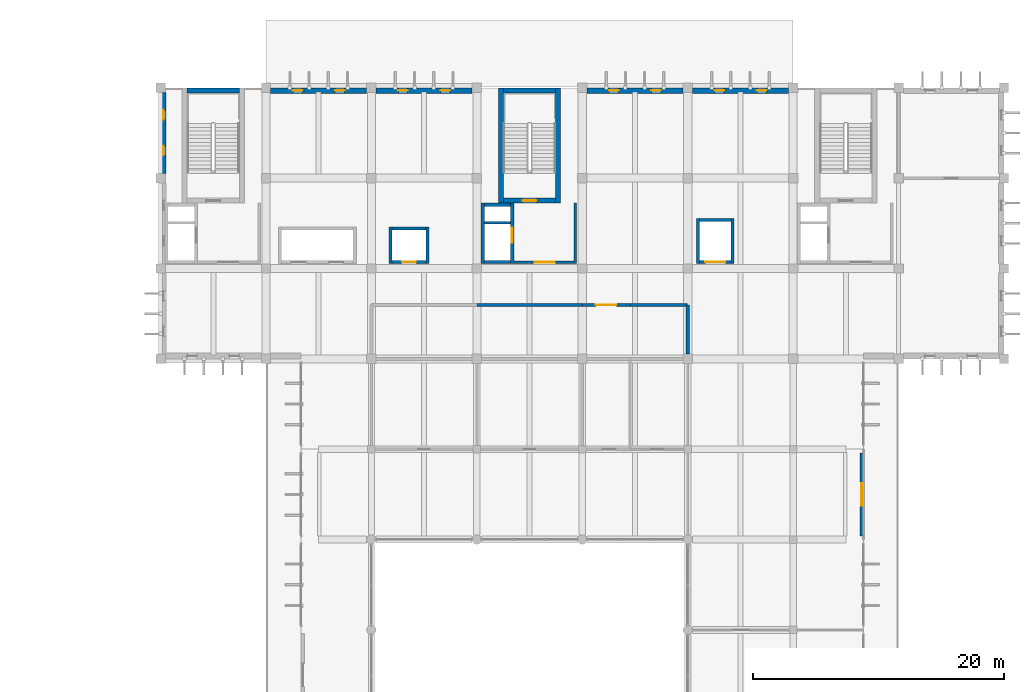
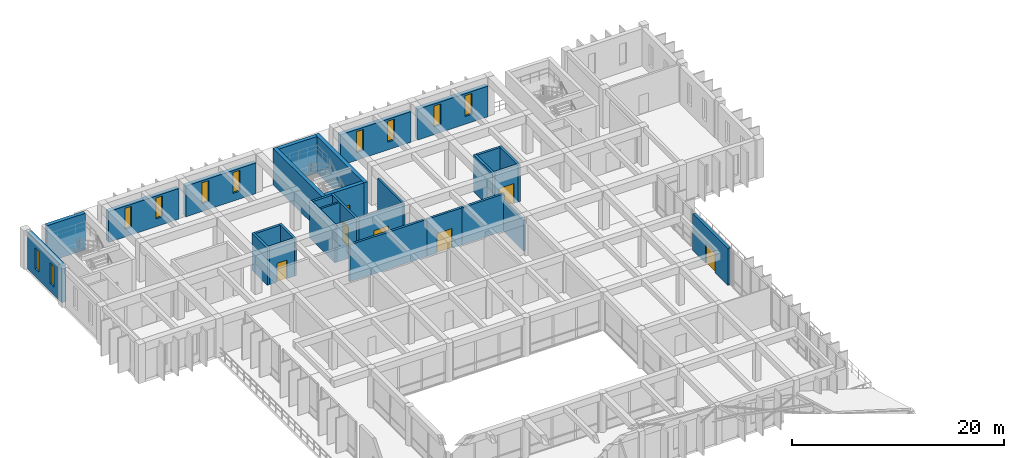
# One storey, part 17 of 23: 30 walls, 10 windows, 7 doors, 17 openings.
"""IFC4 building model written with IfcOpenShell, lengths in metres."""

import ifcopenshell
import ifcopenshell.guid

model = None  # the IFC model being written
_history = None  # IfcOwnerHistory: only IFC2X3 demands one
_inside = {}  # id of a spatial element -> (the spatial element, [elements in it])
_under = {}  # id of a project, library or spatial element -> (it, [spatial elements below it])
_declared = {}  # id of a project -> (the project, [libraries it declares])
_typed = {}  # id of a type object -> (the type object, [elements of that type])
_made_of = {}  # id of a material, layer set ... -> (it, [elements and type objects made of it])


def new_model(schema):
    """Start an empty IFC model of exactly this schema.

    Asked for "IFC4X3", IfcOpenShell would pick the latest addendum, in which some entities
    have other attributes; the version numbers below select the first issue.
    IFC2X3 requires an IfcOwnerHistory on every rooted entity: one is made here for all.
    """
    global model, _history
    if schema == "IFC4X3":
        model = ifcopenshell.file(schema_version=(4, 3, 0, 0))
    else:
        model = ifcopenshell.file(schema=schema)
    _inside.clear()
    _under.clear()
    _declared.clear()
    _typed.clear()
    _made_of.clear()
    _history = None
    if model.schema == "IFC2X3":
        org = make("IfcOrganization", Name="unknown")
        user = make(
            "IfcPersonAndOrganization",
            ThePerson=make("IfcPerson", FamilyName="unknown"),
            TheOrganization=org,
        )
        app = make(
            "IfcApplication",
            ApplicationDeveloper=org,
            Version="unknown",
            ApplicationFullName="unknown",
            ApplicationIdentifier="unknown",
        )
        _history = make(
            "IfcOwnerHistory",
            OwningUser=user,
            OwningApplication=app,
            ChangeAction="ADDED",
            CreationDate=0,
        )
    return model


def make(cls, **values):
    """One entity of the class cls with the attributes given. An attribute that is None is left unset."""
    return model.create_entity(
        cls, **{name: value for name, value in values.items() if value is not None}
    )


def rooted(cls, **values):
    """An entity with a GlobalId (a new one), such as an element, a storey or a relation."""
    return make(cls, GlobalId=ifcopenshell.guid.new(), OwnerHistory=_history, **values)


def si_unit(unit_type, name, prefix=None):
    """IfcSIUnit, for example si_unit("LENGTHUNIT", "METRE", prefix="MILLI")."""
    return make("IfcSIUnit", UnitType=unit_type, Prefix=prefix, Name=name)


def assignment(units):
    """IfcUnitAssignment: the units of a project."""
    return None if units is None else make("IfcUnitAssignment", Units=units)


def point(xyz):
    """IfcCartesianPoint."""
    return None if xyz is None else make("IfcCartesianPoint", Coordinates=xyz)


def direction(xyz):
    """IfcDirection."""
    return None if xyz is None else make("IfcDirection", DirectionRatios=xyz)


def frame(location, z_axis=None, x_axis=None):
    """IfcAxis2Placement3D, a coordinate frame: its origin and axes. An axis left out is left unset."""
    return make(
        "IfcAxis2Placement3D",
        Location=point(location),
        Axis=direction(z_axis),
        RefDirection=direction(x_axis),
    )


def frame_2d(location, x_axis=None):
    """IfcAxis2Placement2D, a coordinate frame in the plane: its origin and x axis."""
    return make(
        "IfcAxis2Placement2D", Location=point(location), RefDirection=direction(x_axis)
    )


def origin():
    """The frame at (0, 0, 0) with its axes left unset."""
    return frame((0.0, 0.0, 0.0))


def place(relative_to, where):
    """IfcLocalPlacement: puts the frame where relative to a parent placement (None: the world)."""
    return make(
        "IfcLocalPlacement", PlacementRelTo=relative_to, RelativePlacement=where
    )


def context(
    kind, dimensions, precision=None, world=None, true_north=None, identifier=None
):
    """IfcGeometricRepresentationContext, for example the 3D "Model" context."""
    return make(
        "IfcGeometricRepresentationContext",
        ContextIdentifier=identifier,
        ContextType=kind,
        CoordinateSpaceDimension=dimensions,
        Precision=precision,
        WorldCoordinateSystem=world,
        TrueNorth=true_north,
    )


def subcontext(parent, identifier, kind, view, scale=None):
    """IfcGeometricRepresentationSubContext, for example "Body" below "Model"."""
    return make(
        "IfcGeometricRepresentationSubContext",
        ContextIdentifier=identifier,
        ContextType=kind,
        ParentContext=parent,
        TargetScale=scale,
        TargetView=view,
    )


def project(units=None, contexts=None):
    """IfcProject with its units and contexts."""
    return rooted(
        "IfcProject",
        Name="project",
        RepresentationContexts=contexts,
        UnitsInContext=assignment(units),
    )


def spatial(cls, under=None, at=None, **own):
    """A site, building, storey or space (cls), placed at a placement, below another one or the project."""
    s = rooted(cls, ObjectPlacement=at, **own)
    if under is not None:
        _under.setdefault(under.id(), (under, []))[1].append(s)
    return s


def profile(cls, at=None, kind="AREA", **sizes):
    """A parametric profile (cls). Its sizes go by their IFC names, for example OverallWidth=200.0."""
    return make(cls, ProfileType=kind, Position=at, **sizes)


def rectangle(**sizes):
    """IfcRectangleProfileDef."""
    return profile("IfcRectangleProfileDef", **sizes)


def extrude(swept, where, along, depth):
    """IfcExtrudedAreaSolid: the profile swept, set in the frame where, extruded along a direction by depth."""
    return make(
        "IfcExtrudedAreaSolid",
        SweptArea=swept,
        Position=where,
        ExtrudedDirection=direction(along),
        Depth=depth,
    )


def shape(context_of_items, identifier, shape_type, items):
    """IfcShapeRepresentation: the items that make up one representation, for example the "Body"."""
    return make(
        "IfcShapeRepresentation",
        ContextOfItems=context_of_items,
        RepresentationIdentifier=identifier,
        RepresentationType=shape_type,
        Items=items,
    )


def material(Name=None, Category=None):
    """IfcMaterial."""
    return make("IfcMaterial", Name=Name, Category=Category)


def layer(
    of_material, thickness, ventilated=None, Name=None, Category=None, Priority=None
):
    """IfcMaterialLayer: one layer of a wall or slab, of a material (None: an air gap)."""
    return make(
        "IfcMaterialLayer",
        Material=of_material,
        LayerThickness=thickness,
        IsVentilated=ventilated,
        Name=Name,
        Category=Category,
        Priority=Priority,
    )


def layer_set(layers, Name=None):
    """IfcMaterialLayerSet."""
    return make("IfcMaterialLayerSet", MaterialLayers=layers, LayerSetName=Name)


def made_of(thing, what):
    """Note that an element or type object is made of a material, layer set ...; save() writes the relation."""
    if what is not None:
        _made_of.setdefault(what.id(), (what, []))[1].append(thing)
    return thing


def type_object(cls, material=None, **own):
    """A type object (cls), such as IfcWallType, which elements share."""
    return made_of(rooted(cls, **own), material)


def element(
    cls,
    number,
    at=None,
    inside=None,
    cuts=None,
    type_object=None,
    material=None,
    context=None,
    identifier="Body",
    shape_type=None,
    held_by="IfcProductDefinitionShape",
    body=None,
    shapes=None,
    **own,
):
    """One element of the class cls, such as IfcWall. Its Tag is "e" and its number.

    at: its placement. inside: the storey or other place that contains it. cuts: it is an
    opening in that element (IfcRelVoidsElement). A single representation is given by context,
    identifier, shape_type and body (its items); several are given by shapes. held_by: the class
    of the entity that holds the representations. save() writes the other relations.
    """
    e = rooted(cls, Tag="e%d" % number, ObjectPlacement=at, **own)
    if body is not None:
        shapes = [shape(context, identifier, shape_type, body)]
    if shapes is not None:
        e.Representation = make(held_by, Representations=shapes)
    if inside is not None:
        _inside.setdefault(inside.id(), (inside, []))[1].append(e)
    if cuts is not None:
        rooted(
            "IfcRelVoidsElement", RelatingBuildingElement=cuts, RelatedOpeningElement=e
        )
    if type_object is not None:
        _typed.setdefault(type_object.id(), (type_object, []))[1].append(e)
    return made_of(e, material)


def fill(opening, filler):
    """IfcRelFillsElement: the door or window that sits in an opening."""
    return rooted(
        "IfcRelFillsElement",
        RelatingOpeningElement=opening,
        RelatedBuildingElement=filler,
    )


def aggregate(whole, parts):
    """IfcRelAggregates: a whole, such as a stair, and the parts it consists of."""
    return rooted("IfcRelAggregates", RelatingObject=whole, RelatedObjects=parts)


def save(model, path):
    """Write the relations noted so far, then the file.

    IfcRelAggregates (storeys below a building ...), IfcRelContainedInSpatialStructure (elements
    in a storey), IfcRelDefinesByType, IfcRelAssociatesMaterial and IfcRelDeclares: one each for
    every whole, place, type object, material and project.
    """
    for whole, parts in _under.values():
        aggregate(whole, parts)
    for where, things in _inside.values():
        rooted(
            "IfcRelContainedInSpatialStructure",
            RelatedElements=things,
            RelatingStructure=where,
        )
    for kind, things in _typed.values():
        rooted("IfcRelDefinesByType", RelatedObjects=things, RelatingType=kind)
    for what, things in _made_of.values():
        rooted("IfcRelAssociatesMaterial", RelatedObjects=things, RelatingMaterial=what)
    for by, libraries in _declared.values():
        rooted("IfcRelDeclares", RelatingContext=by, RelatedDefinitions=libraries)
    model.write(path)


model = new_model("IFC4")

# Units and contexts
model_context = context("Model", 3, precision=1e-05, world=origin(), true_north=direction((0.0, 1.0)))
body_context = subcontext(model_context, "Body", "Model", "MODEL_VIEW")
ifc_project = project(units=[si_unit("LENGTHUNIT", "METRE"), si_unit("AREAUNIT", "SQUARE_METRE"), si_unit("VOLUMEUNIT", "CUBIC_METRE"), si_unit("PLANEANGLEUNIT", "RADIAN"), si_unit("MASSUNIT", "GRAM", prefix="KILO")], contexts=[model_context])

# Site, building, storey
site_placement = place(None, origin())
site = spatial("IfcSite", under=ifc_project, at=site_placement, CompositionType="ELEMENT")
building_placement = place(site_placement, origin())
building = spatial("IfcBuilding", under=site, at=building_placement, Name="Kenerak Square Central Library", CompositionType="ELEMENT")
storey_placement = place(building_placement, frame((0.0, 0.0, 18.8798828125)))
storey = spatial("IfcBuildingStorey", under=building, at=storey_placement, Name="L04", CompositionType="ELEMENT", Elevation=18.8798828125)

# Wall
ifc_material_1 = material(Name="Concrete C40/50", Category="concrete")
ifc_layer_1 = layer(ifc_material_1, 0.25)
ifc_layer_set_1 = layer_set([ifc_layer_1], Name="Concrete C40/50")
wall_type_1 = type_object("IfcWallType", Name="Archive Compartment Wall IW-250 C40/50", PredefinedType="SOLIDWALL", material=ifc_layer_set_1)
wall_1_placement = place(storey_placement, frame((83.60009765625, 93.10009765625, 0.0), z_axis=(0.0, 0.0, 1.0), x_axis=(1.0, 0.0, 0.0)))
element("IfcWall", 1, at=wall_1_placement, inside=storey, type_object=wall_type_1, Name="Interior Wall IW-L04-05-N2-B2", PredefinedType="SOLIDWALL", context=body_context, shape_type="SweptSolid", body=[
    extrude(rectangle(XDim=8.39990234375, YDim=0.25, at=frame_2d((4.199951171875, 0.0))), origin(), (0.0, 0.0, 1.0), 4.255126953125),
])

# Wall, opening, door
wall_2_placement = place(storey_placement, frame((92.0, 93.10009765625, 0.0), z_axis=(0.0, 0.0, 1.0), x_axis=(1.0, 0.0, 0.0)))
wall_2 = element("IfcWall", 2, at=wall_2_placement, inside=storey, type_object=wall_type_1, Name="Interior Wall IW-L04-05-N2-B3", PredefinedType="SOLIDWALL", context=body_context, shape_type="SweptSolid", body=[
    extrude(rectangle(XDim=3.800048828125, YDim=0.25, at=frame_2d((1.89990234375, 0.0))), origin(), (0.0, 0.0, 1.0), 4.255126953125),
])
opening_1_placement = place(wall_2_placement, frame((1.074951171875, 0.0, 0.0)))
opening_1 = element("IfcOpeningElement", 3, at=opening_1_placement, cuts=wall_2, Name="Opening ID-08", PredefinedType="OPENING", context=body_context, shape_type="SweptSolid", body=[
    extrude(rectangle(XDim=1.64990234375, YDim=2.25, at=frame_2d((0.824951171875, 1.125))), frame((0.0, 0.135009765625, 0.0), z_axis=(0.0, -1.0, 0.0), x_axis=(1.0, 0.0, 0.0)), (0.0, 0.0, 1.0), 0.27001953125),
])
ifc_material_2 = material(Name="Steel S355", Category="steel")
door_type_1 = type_object("IfcDoorType", Name="Vault Fire Compartment Double Door ID-1650x2250 FD120S", OperationType="NOTDEFINED", PredefinedType="DOOR", material=ifc_material_2)
door_1_placement = place(opening_1_placement, origin())
door_1 = element("IfcDoor", 4, at=door_1_placement, inside=storey, type_object=door_type_1, Name="Closed High-Density Stack Vault L04 Door", OperationType="DOUBLE_DOOR_SINGLE_SWING", OverallHeight=2.25, OverallWidth=1.64990234375, PredefinedType="DOOR", context=body_context, shape_type="SweptSolid", body=[
    extrude(rectangle(XDim=1.64990234375, YDim=2.25, at=frame_2d((0.824951171875, 1.125))), frame((0.0, 0.02490234375, 0.0), z_axis=(0.0, -1.0, 0.0), x_axis=(1.0, 0.0, 0.0)), (0.0, 0.0, 1.0), 0.050048828125),
])
fill(opening_1, door_1)

# Walls
wall_3_placement = place(storey_placement, frame((95.800048828125, 93.10009765625, 0.0), z_axis=(0.0, 0.0, 1.0), x_axis=(1.0, 0.0, 0.0)))
element("IfcWall", 5, at=wall_3_placement, inside=storey, type_object=wall_type_1, Name="Interior Wall IW-L04-05-N2-B4", PredefinedType="SOLIDWALL", context=body_context, shape_type="SweptSolid", body=[
    extrude(rectangle(XDim=4.599853515625, YDim=0.25, at=frame_2d((2.2998046875, 0.0))), origin(), (0.0, 0.0, 1.0), 4.255126953125),
])
wall_4_placement = place(storey_placement, frame((100.39990234375, 93.10009765625, 0.0), z_axis=(0.0, 0.0, 1.0), x_axis=(0.0, -1.0, 0.0)))
element("IfcWall", 6, at=wall_4_placement, inside=storey, type_object=wall_type_1, Name="Interior Wall IW-L04-05-E4-B1", PredefinedType="SOLIDWALL", context=body_context, shape_type="SweptSolid", body=[
    extrude(rectangle(XDim=3.925048828125, YDim=0.25, at=frame_2d((1.96240234375, 0.0))), origin(), (0.0, 0.0, 1.0), 3.530029296875),
])
ifc_layer_2 = layer(ifc_material_1, 0.39990234375)
ifc_layer_set_2 = layer_set([ifc_layer_2], Name="Concrete C40/50")
wall_type_2 = type_object("IfcWallType", Name="Core Shear Wall CW-400 C40/50", PredefinedType="SHEAR", material=ifc_layer_set_2)
wall_5_placement = place(storey_placement, frame((60.52001953125, 110.199951171875, 0.0), z_axis=(0.0, 0.0, 1.0), x_axis=(1.0, 0.0, 0.0)))
element("IfcWall", 7, at=wall_5_placement, inside=storey, type_object=wall_type_2, Name="Core Wall CW-C1 L04 North", PredefinedType="SHEAR", context=body_context, shape_type="SweptSolid", body=[
    extrude(rectangle(XDim=4.159912109375, YDim=0.39990234375, at=frame_2d((2.080078125, 0.0))), origin(), (0.0, 0.0, 1.0), 4.205078125),
])
for number, where, z_axis, x_axis, name in (
    (8, (85.52001953125, 101.199951171875, 0.0), (0.0, 0.0, 1.0), (0.0, 1.0, 0.0), "Core Wall CW-C2 L04 West"),
    (9, (90.080078125, 110.39990234375, 0.0), (0.0, 0.0, 1.0), (0.0, -1.0, 0.0), "Core Wall CW-C2 L04 East"),
):
    element("IfcWall", number, at=place(storey_placement, frame(where, z_axis=z_axis, x_axis=x_axis)), inside=storey, type_object=wall_type_2, Name=name, PredefinedType="SHEAR", context=body_context, shape_type="SweptSolid", body=[
        extrude(rectangle(XDim=9.199951171875, YDim=0.39990234375, at=frame_2d((4.60009765625, 0.0))), origin(), (0.0, 0.0, 1.0), 4.205078125),
    ])

# Wall, opening, door
wall_6_placement = place(storey_placement, frame((89.8798828125, 101.39990234375, 0.0), z_axis=(0.0, 0.0, 1.0), x_axis=(-1.0, 0.0, 0.0)))
wall_6 = element("IfcWall", 10, at=wall_6_placement, inside=storey, type_object=wall_type_2, Name="Core Wall CW-C2 L04 South", PredefinedType="SHEAR", context=body_context, shape_type="SweptSolid", body=[
    extrude(rectangle(XDim=4.159912109375, YDim=0.39990234375, at=frame_2d((2.080078125, 0.0))), origin(), (0.0, 0.0, 1.0), 4.205078125),
])
opening_2_placement = place(wall_6_placement, frame((1.530029296875, 0.0, 0.0)))
opening_2 = element("IfcOpeningElement", 11, at=opening_2_placement, cuts=wall_6, Name="Opening D-ST1", PredefinedType="OPENING", context=body_context, shape_type="SweptSolid", body=[
    extrude(rectangle(XDim=1.10009765625, YDim=2.199951171875, at=frame_2d((0.550048828125, 1.10009765625))), frame((0.0, 0.2099609375, 0.0), z_axis=(0.0, -1.0, 0.0), x_axis=(1.0, 0.0, 0.0)), (0.0, 0.0, 1.0), 0.419921875),
])
door_type_2 = type_object("IfcDoorType", Name="Protected Stair Fire Door FD-1100x2200 FD60S", OperationType="NOTDEFINED", PredefinedType="DOOR", material=ifc_material_2)
door_2_placement = place(opening_2_placement, frame((1.10009765625, 0.0, 0.0), z_axis=(0.0, 0.0, 1.0), x_axis=(-1.0, 0.0, 0.0)))
door_2 = element("IfcDoor", 12, at=door_2_placement, inside=storey, type_object=door_type_2, Name="Stair Door ST-02 L04", OperationType="SINGLE_SWING_RIGHT", OverallHeight=2.199951171875, OverallWidth=1.10009765625, PredefinedType="DOOR", context=body_context, shape_type="SweptSolid", body=[
    extrude(rectangle(XDim=1.10009765625, YDim=2.199951171875, at=frame_2d((0.550048828125, 1.10009765625))), frame((0.0, 0.02490234375, 0.0), z_axis=(0.0, -1.0, 0.0), x_axis=(1.0, 0.0, 0.0)), (0.0, 0.0, 1.0), 0.050048828125),
])
fill(opening_2, door_2)

# Wall
wall_7_placement = place(storey_placement, frame((85.719970703125, 110.199951171875, 0.0), z_axis=(0.0, 0.0, 1.0), x_axis=(1.0, 0.0, 0.0)))
element("IfcWall", 13, at=wall_7_placement, inside=storey, type_object=wall_type_2, Name="Core Wall CW-C2 L04 North", PredefinedType="SHEAR", context=body_context, shape_type="SweptSolid", body=[
    extrude(rectangle(XDim=4.159912109375, YDim=0.39990234375, at=frame_2d((2.080078125, 0.0))), origin(), (0.0, 0.0, 1.0), 4.205078125),
])

# Wall, opening, door
ifc_material_3 = material(Name="Precast concrete C40/50", Category="concrete")
ifc_layer_3 = layer(ifc_material_3, 0.27490234375)
ifc_layer_set_3 = layer_set([ifc_layer_3], Name="Precast concrete C40/50")
wall_type_3 = type_object("IfcWallType", Name="Insulated Precast Spandrel Wall SPW-275 C40/50", PredefinedType="SOLIDWALL", material=ifc_layer_set_3)
wall_8_placement = place(storey_placement, frame((114.262451171875, 81.300048828125, 0.0), z_axis=(0.0, 0.0, 1.0), x_axis=(0.0, -1.0, 0.0)))
wall_8 = element("IfcWall", 14, at=wall_8_placement, inside=storey, type_object=wall_type_3, Name="Exterior Facade Wall L04 0240", PredefinedType="SOLIDWALL", context=body_context, shape_type="SweptSolid", body=[
    extrude(rectangle(XDim=6.60009765625, YDim=0.27490234375, at=frame_2d((3.300048828125, 0.0))), origin(), (0.0, 0.0, 1.0), 4.255126953125),
])
opening_3_placement = place(wall_8_placement, frame((2.39990234375, 0.0, 0.0)))
opening_3 = element("IfcOpeningElement", 15, at=opening_3_placement, cuts=wall_8, Name="Opening TD-01", PredefinedType="OPENING", context=body_context, shape_type="SweptSolid", body=[
    extrude(rectangle(XDim=1.800048828125, YDim=2.25, at=frame_2d((0.89990234375, 1.125))), frame((0.0, 0.1474609375, 0.0), z_axis=(0.0, -1.0, 0.0), x_axis=(1.0, 0.0, 0.0)), (0.0, 0.0, 1.0), 0.294921875),
])
ifc_material_4 = material(Name="Anodised aluminium and laminated glass", Category="aluminium")
door_type_3 = type_object("IfcDoorType", Name="Planted Reading Terrace Double Door TD-1800x2250", OperationType="NOTDEFINED", PredefinedType="DOOR", material=ifc_material_4)
door_3_placement = place(opening_3_placement, origin())
door_3 = element("IfcDoor", 16, at=door_3_placement, inside=storey, type_object=door_type_3, Name="East Court Reading Terrace L04 Access Door", OperationType="DOUBLE_DOOR_SINGLE_SWING", OverallHeight=2.25, OverallWidth=1.800048828125, PredefinedType="DOOR", context=body_context, shape_type="SweptSolid", body=[
    extrude(rectangle(XDim=1.800048828125, YDim=2.25, at=frame_2d((0.89990234375, 1.125))), frame((0.0, 0.02490234375, 0.0), z_axis=(0.0, -1.0, 0.0), x_axis=(1.0, 0.0, 0.0)), (0.0, 0.0, 1.0), 0.050048828125),
])
fill(opening_3, door_3)

# Walls
ifc_layer_4 = layer(ifc_material_1, 0.199951171875)
ifc_layer_set_4 = layer_set([ifc_layer_4], Name="Concrete C40/50")
wall_type_4 = type_object("IfcWallType", Name="Lobby Compartment Wall LW-200 C40/50", PredefinedType="SOLIDWALL", material=ifc_layer_set_4)
wall_9_placement = place(storey_placement, frame((84.199951171875, 99.64990234375, 0.0), z_axis=(0.0, 0.0, 1.0), x_axis=(1.0, 0.0, 0.0)))
element("IfcWall", 17, at=wall_9_placement, inside=storey, type_object=wall_type_4, Name="Riser Divider Wall C2 L04", PredefinedType="SOLIDWALL", context=body_context, shape_type="SweptSolid", body=[
    extrude(rectangle(XDim=2.10009765625, YDim=0.199951171875, at=frame_2d((1.050048828125, 0.0))), origin(), (0.0, 0.0, 1.0), 4.205078125),
])
wall_10_placement = place(storey_placement, frame((91.449951171875, 101.199951171875, 0.0), z_axis=(0.0, 0.0, 1.0), x_axis=(0.0, -1.0, 0.0)))
element("IfcWall", 18, at=wall_10_placement, inside=storey, type_object=wall_type_4, Name="Firefighting Lobby East Wall C2 L04", PredefinedType="SOLIDWALL", context=body_context, shape_type="SweptSolid", body=[
    extrude(rectangle(XDim=4.800048828125, YDim=0.199951171875, at=frame_2d((2.39990234375, 0.0))), origin(), (0.0, 0.0, 1.0), 4.205078125),
])

# Wall, opening, door
wall_11_placement = place(storey_placement, frame((91.35009765625, 96.5, 0.0), z_axis=(0.0, 0.0, 1.0), x_axis=(-1.0, 0.0, 0.0)))
wall_11 = element("IfcWall", 19, at=wall_11_placement, inside=storey, type_object=wall_type_4, Name="Firefighting Lobby South Wall C2 L04", PredefinedType="SOLIDWALL", context=body_context, shape_type="SweptSolid", body=[
    extrude(rectangle(XDim=4.800048828125, YDim=0.199951171875, at=frame_2d((2.39990234375, 0.0))), origin(), (0.0, 0.0, 1.0), 4.205078125),
])
opening_4_placement = place(wall_11_placement, frame((1.550048828125, 0.0, 0.0)))
opening_4 = element("IfcOpeningElement", 20, at=opening_4_placement, cuts=wall_11, Name="Opening D-FFL", PredefinedType="OPENING", context=body_context, shape_type="SweptSolid", body=[
    extrude(rectangle(XDim=1.60009765625, YDim=2.199951171875, at=frame_2d((0.800048828125, 1.10009765625))), frame((0.0, 0.10986328125, 0.0), z_axis=(0.0, -1.0, 0.0), x_axis=(1.0, 0.0, 0.0)), (0.0, 0.0, 1.0), 0.219970703125),
])
door_type_4 = type_object("IfcDoorType", Name="Firefighting Lobby Double Door FD-1600x2200 FD60S", OperationType="NOTDEFINED", PredefinedType="DOOR", material=ifc_material_2)
door_4_placement = place(opening_4_placement, frame((1.60009765625, 0.0, 0.0), z_axis=(0.0, 0.0, 1.0), x_axis=(-1.0, 0.0, 0.0)))
door_4 = element("IfcDoor", 21, at=door_4_placement, inside=storey, type_object=door_type_4, Name="Firefighting Lobby Door C2 L04", OperationType="DOUBLE_DOOR_SINGLE_SWING", OverallHeight=2.199951171875, OverallWidth=1.60009765625, PredefinedType="DOOR", context=body_context, shape_type="SweptSolid", body=[
    extrude(rectangle(XDim=1.60009765625, YDim=2.199951171875, at=frame_2d((0.800048828125, 1.10009765625))), frame((0.0, 0.02490234375, 0.0), z_axis=(0.0, -1.0, 0.0), x_axis=(1.0, 0.0, 0.0)), (0.0, 0.0, 1.0), 0.050048828125),
])
fill(opening_4, door_4)

# Wall, openings, windows
ifc_layer_5 = layer(ifc_material_1, 0.449951171875)
ifc_layer_set_5 = layer_set([ifc_layer_5], Name="Concrete C40/50")
wall_type_5 = type_object("IfcWallType", Name="Rare-Books Vault Exterior Wall VW-450 C40/50", PredefinedType="SOLIDWALL", material=ifc_layer_set_5)
wall_12_placement = place(storey_placement, frame((58.625, 103.574951171875, 0.0), z_axis=(0.0, 0.0, 1.0), x_axis=(0.0, 1.0, 0.0)))
wall_12 = element("IfcWall", 22, at=wall_12_placement, inside=storey, type_object=wall_type_5, Name="Exterior Facade Wall L04 0229", PredefinedType="SOLIDWALL", context=body_context, shape_type="SweptSolid", body=[
    extrude(rectangle(XDim=6.449951171875, YDim=0.449951171875, at=frame_2d((3.22509765625, 0.0))), origin(), (0.0, 0.0, 1.0), 4.255126953125),
])
opening_5_placement = place(wall_12_placement, frame((1.430908203125, 0.0, 0.89990234375)))
opening_5 = element("IfcOpeningElement", 23, at=opening_5_placement, cuts=wall_12, Name="Opening W-02", PredefinedType="OPENING", context=body_context, shape_type="SweptSolid", body=[
    extrude(rectangle(XDim=0.75, YDim=2.39990234375, at=frame_2d((0.375, 1.199951171875))), frame((0.0, 0.23486328125, 0.0), z_axis=(0.0, -1.0, 0.0), x_axis=(1.0, 0.0, 0.0)), (0.0, 0.0, 1.0), 0.469970703125),
])
opening_6_placement = place(wall_12_placement, frame((4.26904296875, 0.0, 0.89990234375)))
opening_6 = element("IfcOpeningElement", 24, at=opening_6_placement, cuts=wall_12, Name="Opening W-02", PredefinedType="OPENING", context=body_context, shape_type="SweptSolid", body=[
    extrude(rectangle(XDim=0.75, YDim=2.39990234375, at=frame_2d((0.375, 1.199951171875))), frame((0.0, 0.23486328125, 0.0), z_axis=(0.0, -1.0, 0.0), x_axis=(1.0, 0.0, 0.0)), (0.0, 0.0, 1.0), 0.469970703125),
])
ifc_material_5 = material(Name="Solar-control low-E laminated double glazing", Category="glass")
window_type = type_object("IfcWindowType", Name="Archive Narrow Slot Window W-02 750x2400", PartitioningType="SINGLE_PANEL", PredefinedType="WINDOW", material=ifc_material_5)
window_1_placement = place(opening_5_placement, origin())
window_1 = element("IfcWindow", 25, at=window_1_placement, inside=storey, type_object=window_type, Name="Window W-02 L04 0250", OverallHeight=2.39990234375, OverallWidth=0.75, PartitioningType="SINGLE_PANEL", PredefinedType="WINDOW", context=body_context, shape_type="SweptSolid", body=[
    extrude(rectangle(XDim=0.75, YDim=2.39990234375, at=frame_2d((0.375, 1.199951171875))), frame((0.0, 0.030029296875, 0.0), z_axis=(0.0, -1.0, 0.0), x_axis=(1.0, 0.0, 0.0)), (0.0, 0.0, 1.0), 0.06005859375),
])
fill(opening_5, window_1)
window_2_placement = place(opening_6_placement, origin())
window_2 = element("IfcWindow", 26, at=window_2_placement, inside=storey, type_object=window_type, Name="Window W-02 L04 0251", OverallHeight=2.39990234375, OverallWidth=0.75, PartitioningType="SINGLE_PANEL", PredefinedType="WINDOW", context=body_context, shape_type="SweptSolid", body=[
    extrude(rectangle(XDim=0.75, YDim=2.39990234375, at=frame_2d((0.375, 1.199951171875))), frame((0.0, 0.030029296875, 0.0), z_axis=(0.0, -1.0, 0.0), x_axis=(1.0, 0.0, 0.0)), (0.0, 0.0, 1.0), 0.06005859375),
])
fill(opening_6, window_2)

wall_13_placement = place(storey_placement, frame((67.175048828125, 110.175048828125, 0.0), z_axis=(0.0, 0.0, 1.0), x_axis=(1.0, 0.0, 0.0)))
wall_13 = element("IfcWall", 27, at=wall_13_placement, inside=storey, type_object=wall_type_5, Name="Exterior Facade Wall L04 0230", PredefinedType="SOLIDWALL", context=body_context, shape_type="SweptSolid", body=[
    extrude(rectangle(XDim=7.64990234375, YDim=0.449951171875, at=frame_2d((3.824951171875, 0.0))), origin(), (0.0, 0.0, 1.0), 3.530029296875),
])
opening_7_placement = place(wall_13_placement, frame((1.76708984375, 0.0, 0.89990234375)))
opening_7 = element("IfcOpeningElement", 28, at=opening_7_placement, cuts=wall_13, Name="Opening W-02", PredefinedType="OPENING", context=body_context, shape_type="SweptSolid", body=[
    extrude(rectangle(XDim=0.75, YDim=2.39990234375, at=frame_2d((0.375, 1.199951171875))), frame((0.0, 0.23486328125, 0.0), z_axis=(0.0, -1.0, 0.0), x_axis=(1.0, 0.0, 0.0)), (0.0, 0.0, 1.0), 0.469970703125),
])
opening_8_placement = place(wall_13_placement, frame((5.133056640625, 0.0, 0.89990234375)))
opening_8 = element("IfcOpeningElement", 29, at=opening_8_placement, cuts=wall_13, Name="Opening W-02", PredefinedType="OPENING", context=body_context, shape_type="SweptSolid", body=[
    extrude(rectangle(XDim=0.75, YDim=2.39990234375, at=frame_2d((0.375, 1.199951171875))), frame((0.0, 0.23486328125, 0.0), z_axis=(0.0, -1.0, 0.0), x_axis=(1.0, 0.0, 0.0)), (0.0, 0.0, 1.0), 0.469970703125),
])
window_3_placement = place(opening_7_placement, origin())
window_3 = element("IfcWindow", 30, at=window_3_placement, inside=storey, type_object=window_type, Name="Window W-02 L04 0252", OverallHeight=2.39990234375, OverallWidth=0.75, PartitioningType="SINGLE_PANEL", PredefinedType="WINDOW", context=body_context, shape_type="SweptSolid", body=[
    extrude(rectangle(XDim=0.75, YDim=2.39990234375, at=frame_2d((0.375, 1.199951171875))), frame((0.0, 0.030029296875, 0.0), z_axis=(0.0, -1.0, 0.0), x_axis=(1.0, 0.0, 0.0)), (0.0, 0.0, 1.0), 0.06005859375),
])
fill(opening_7, window_3)
window_4_placement = place(opening_8_placement, origin())
window_4 = element("IfcWindow", 31, at=window_4_placement, inside=storey, type_object=window_type, Name="Window W-02 L04 0253", OverallHeight=2.39990234375, OverallWidth=0.75, PartitioningType="SINGLE_PANEL", PredefinedType="WINDOW", context=body_context, shape_type="SweptSolid", body=[
    extrude(rectangle(XDim=0.75, YDim=2.39990234375, at=frame_2d((0.375, 1.199951171875))), frame((0.0, 0.030029296875, 0.0), z_axis=(0.0, -1.0, 0.0), x_axis=(1.0, 0.0, 0.0)), (0.0, 0.0, 1.0), 0.06005859375),
])
fill(opening_8, window_4)

wall_14_placement = place(storey_placement, frame((75.574951171875, 110.175048828125, 0.0), z_axis=(0.0, 0.0, 1.0), x_axis=(1.0, 0.0, 0.0)))
wall_14 = element("IfcWall", 32, at=wall_14_placement, inside=storey, type_object=wall_type_5, Name="Exterior Facade Wall L04 0231", PredefinedType="SOLIDWALL", context=body_context, shape_type="SweptSolid", body=[
    extrude(rectangle(XDim=7.650146484375, YDim=0.449951171875, at=frame_2d((3.8251953125, 0.0))), origin(), (0.0, 0.0, 1.0), 3.530029296875),
])
opening_9_placement = place(wall_14_placement, frame((1.76708984375, 0.0, 0.89990234375)))
opening_9 = element("IfcOpeningElement", 33, at=opening_9_placement, cuts=wall_14, Name="Opening W-02", PredefinedType="OPENING", context=body_context, shape_type="SweptSolid", body=[
    extrude(rectangle(XDim=0.75, YDim=2.39990234375, at=frame_2d((0.375, 1.199951171875))), frame((0.0, 0.23486328125, 0.0), z_axis=(0.0, -1.0, 0.0), x_axis=(1.0, 0.0, 0.0)), (0.0, 0.0, 1.0), 0.469970703125),
])
opening_10_placement = place(wall_14_placement, frame((5.133056640625, 0.0, 0.89990234375)))
opening_10 = element("IfcOpeningElement", 34, at=opening_10_placement, cuts=wall_14, Name="Opening W-02", PredefinedType="OPENING", context=body_context, shape_type="SweptSolid", body=[
    extrude(rectangle(XDim=0.75, YDim=2.39990234375, at=frame_2d((0.375, 1.199951171875))), frame((0.0, 0.23486328125, 0.0), z_axis=(0.0, -1.0, 0.0), x_axis=(1.0, 0.0, 0.0)), (0.0, 0.0, 1.0), 0.469970703125),
])
window_5_placement = place(opening_9_placement, origin())
window_5 = element("IfcWindow", 35, at=window_5_placement, inside=storey, type_object=window_type, Name="Window W-02 L04 0254", OverallHeight=2.39990234375, OverallWidth=0.75, PartitioningType="SINGLE_PANEL", PredefinedType="WINDOW", context=body_context, shape_type="SweptSolid", body=[
    extrude(rectangle(XDim=0.75, YDim=2.39990234375, at=frame_2d((0.375, 1.199951171875))), frame((0.0, 0.030029296875, 0.0), z_axis=(0.0, -1.0, 0.0), x_axis=(1.0, 0.0, 0.0)), (0.0, 0.0, 1.0), 0.06005859375),
])
fill(opening_9, window_5)
window_6_placement = place(opening_10_placement, origin())
window_6 = element("IfcWindow", 36, at=window_6_placement, inside=storey, type_object=window_type, Name="Window W-02 L04 0255", OverallHeight=2.39990234375, OverallWidth=0.75, PartitioningType="SINGLE_PANEL", PredefinedType="WINDOW", context=body_context, shape_type="SweptSolid", body=[
    extrude(rectangle(XDim=0.75, YDim=2.39990234375, at=frame_2d((0.375, 1.199951171875))), frame((0.0, 0.030029296875, 0.0), z_axis=(0.0, -1.0, 0.0), x_axis=(1.0, 0.0, 0.0)), (0.0, 0.0, 1.0), 0.06005859375),
])
fill(opening_10, window_6)

wall_15_placement = place(storey_placement, frame((92.375, 110.175048828125, 0.0), z_axis=(0.0, 0.0, 1.0), x_axis=(1.0, 0.0, 0.0)))
wall_15 = element("IfcWall", 37, at=wall_15_placement, inside=storey, type_object=wall_type_5, Name="Exterior Facade Wall L04 0232", PredefinedType="SOLIDWALL", context=body_context, shape_type="SweptSolid", body=[
    extrude(rectangle(XDim=7.64990234375, YDim=0.449951171875, at=frame_2d((3.824951171875, 0.0))), origin(), (0.0, 0.0, 1.0), 3.530029296875),
])
opening_11_placement = place(wall_15_placement, frame((1.76708984375, 0.0, 0.89990234375)))
opening_11 = element("IfcOpeningElement", 38, at=opening_11_placement, cuts=wall_15, Name="Opening W-02", PredefinedType="OPENING", context=body_context, shape_type="SweptSolid", body=[
    extrude(rectangle(XDim=0.75, YDim=2.39990234375, at=frame_2d((0.375, 1.199951171875))), frame((0.0, 0.23486328125, 0.0), z_axis=(0.0, -1.0, 0.0), x_axis=(1.0, 0.0, 0.0)), (0.0, 0.0, 1.0), 0.469970703125),
])
opening_12_placement = place(wall_15_placement, frame((5.133056640625, 0.0, 0.89990234375)))
opening_12 = element("IfcOpeningElement", 39, at=opening_12_placement, cuts=wall_15, Name="Opening W-02", PredefinedType="OPENING", context=body_context, shape_type="SweptSolid", body=[
    extrude(rectangle(XDim=0.75, YDim=2.39990234375, at=frame_2d((0.375, 1.199951171875))), frame((0.0, 0.23486328125, 0.0), z_axis=(0.0, -1.0, 0.0), x_axis=(1.0, 0.0, 0.0)), (0.0, 0.0, 1.0), 0.469970703125),
])
window_7_placement = place(opening_11_placement, origin())
window_7 = element("IfcWindow", 40, at=window_7_placement, inside=storey, type_object=window_type, Name="Window W-02 L04 0256", OverallHeight=2.39990234375, OverallWidth=0.75, PartitioningType="SINGLE_PANEL", PredefinedType="WINDOW", context=body_context, shape_type="SweptSolid", body=[
    extrude(rectangle(XDim=0.75, YDim=2.39990234375, at=frame_2d((0.375, 1.199951171875))), frame((0.0, 0.030029296875, 0.0), z_axis=(0.0, -1.0, 0.0), x_axis=(1.0, 0.0, 0.0)), (0.0, 0.0, 1.0), 0.06005859375),
])
fill(opening_11, window_7)
window_8_placement = place(opening_12_placement, origin())
window_8 = element("IfcWindow", 41, at=window_8_placement, inside=storey, type_object=window_type, Name="Window W-02 L04 0257", OverallHeight=2.39990234375, OverallWidth=0.75, PartitioningType="SINGLE_PANEL", PredefinedType="WINDOW", context=body_context, shape_type="SweptSolid", body=[
    extrude(rectangle(XDim=0.75, YDim=2.39990234375, at=frame_2d((0.375, 1.199951171875))), frame((0.0, 0.030029296875, 0.0), z_axis=(0.0, -1.0, 0.0), x_axis=(1.0, 0.0, 0.0)), (0.0, 0.0, 1.0), 0.06005859375),
])
fill(opening_12, window_8)

wall_16_placement = place(storey_placement, frame((100.77490234375, 110.175048828125, 0.0), z_axis=(0.0, 0.0, 1.0), x_axis=(1.0, 0.0, 0.0)))
wall_16 = element("IfcWall", 42, at=wall_16_placement, inside=storey, type_object=wall_type_5, Name="Exterior Facade Wall L04 0233", PredefinedType="SOLIDWALL", context=body_context, shape_type="SweptSolid", body=[
    extrude(rectangle(XDim=7.650146484375, YDim=0.449951171875, at=frame_2d((3.8251953125, 0.0))), origin(), (0.0, 0.0, 1.0), 3.530029296875),
])
opening_13_placement = place(wall_16_placement, frame((1.76708984375, 0.0, 0.89990234375)))
opening_13 = element("IfcOpeningElement", 43, at=opening_13_placement, cuts=wall_16, Name="Opening W-02", PredefinedType="OPENING", context=body_context, shape_type="SweptSolid", body=[
    extrude(rectangle(XDim=0.75, YDim=2.39990234375, at=frame_2d((0.375, 1.199951171875))), frame((0.0, 0.23486328125, 0.0), z_axis=(0.0, -1.0, 0.0), x_axis=(1.0, 0.0, 0.0)), (0.0, 0.0, 1.0), 0.469970703125),
])
opening_14_placement = place(wall_16_placement, frame((5.133056640625, 0.0, 0.89990234375)))
opening_14 = element("IfcOpeningElement", 44, at=opening_14_placement, cuts=wall_16, Name="Opening W-02", PredefinedType="OPENING", context=body_context, shape_type="SweptSolid", body=[
    extrude(rectangle(XDim=0.75, YDim=2.39990234375, at=frame_2d((0.375, 1.199951171875))), frame((0.0, 0.23486328125, 0.0), z_axis=(0.0, -1.0, 0.0), x_axis=(1.0, 0.0, 0.0)), (0.0, 0.0, 1.0), 0.469970703125),
])
window_9_placement = place(opening_13_placement, origin())
window_9 = element("IfcWindow", 45, at=window_9_placement, inside=storey, type_object=window_type, Name="Window W-02 L04 0258", OverallHeight=2.39990234375, OverallWidth=0.75, PartitioningType="SINGLE_PANEL", PredefinedType="WINDOW", context=body_context, shape_type="SweptSolid", body=[
    extrude(rectangle(XDim=0.75, YDim=2.39990234375, at=frame_2d((0.375, 1.199951171875))), frame((0.0, 0.030029296875, 0.0), z_axis=(0.0, -1.0, 0.0), x_axis=(1.0, 0.0, 0.0)), (0.0, 0.0, 1.0), 0.06005859375),
])
fill(opening_13, window_9)
window_10_placement = place(opening_14_placement, origin())
window_10 = element("IfcWindow", 46, at=window_10_placement, inside=storey, type_object=window_type, Name="Window W-02 L04 0259", OverallHeight=2.39990234375, OverallWidth=0.75, PartitioningType="SINGLE_PANEL", PredefinedType="WINDOW", context=body_context, shape_type="SweptSolid", body=[
    extrude(rectangle(XDim=0.75, YDim=2.39990234375, at=frame_2d((0.375, 1.199951171875))), frame((0.0, 0.030029296875, 0.0), z_axis=(0.0, -1.0, 0.0), x_axis=(1.0, 0.0, 0.0)), (0.0, 0.0, 1.0), 0.06005859375),
])
fill(opening_14, window_10)

# Wall
ifc_layer_6 = layer(ifc_material_1, 0.25)
ifc_layer_set_6 = layer_set([ifc_layer_6], Name="Concrete C40/50")
wall_type_6 = type_object("IfcWallType", Name="Shaft Enclosure Wall SW-250 C40/50", PredefinedType="SOLIDWALL", material=ifc_layer_set_6)
wall_17_placement = place(storey_placement, frame((84.074951171875, 96.39990234375, 0.0), z_axis=(0.0, 0.0, 1.0), x_axis=(0.0, 1.0, 0.0)))
element("IfcWall", 47, at=wall_17_placement, inside=storey, type_object=wall_type_6, Name="Core Wall FLW-C2 L04 West", PredefinedType="SOLIDWALL", context=body_context, shape_type="SweptSolid", body=[
    extrude(rectangle(XDim=4.800048828125, YDim=0.25, at=frame_2d((2.39990234375, 0.0))), origin(), (0.0, 0.0, 1.0), 4.205078125),
])

# Wall, opening, door
wall_18_placement = place(storey_placement, frame((86.425048828125, 101.199951171875, 0.0), z_axis=(0.0, 0.0, 1.0), x_axis=(0.0, -1.0, 0.0)))
wall_18 = element("IfcWall", 48, at=wall_18_placement, inside=storey, type_object=wall_type_6, Name="Core Wall FLW-C2 L04 East", PredefinedType="SOLIDWALL", context=body_context, shape_type="SweptSolid", body=[
    extrude(rectangle(XDim=4.800048828125, YDim=0.25, at=frame_2d((2.39990234375, 0.0))), origin(), (0.0, 0.0, 1.0), 4.205078125),
])
opening_15_placement = place(wall_18_placement, frame((1.949951171875, 0.0, 0.0)))
opening_15 = element("IfcOpeningElement", 49, at=opening_15_placement, cuts=wall_18, Name="Opening LD-FL", PredefinedType="OPENING", context=body_context, shape_type="SweptSolid", body=[
    extrude(rectangle(XDim=1.199951171875, YDim=2.199951171875, at=frame_2d((0.60009765625, 1.10009765625))), frame((0.0, 0.135009765625, 0.0), z_axis=(0.0, -1.0, 0.0), x_axis=(1.0, 0.0, 0.0)), (0.0, 0.0, 1.0), 0.27001953125),
])
door_type_5 = type_object("IfcDoorType", Name="Firefighting Lift Sliding Landing Door LD-1200x2200 FD120S", OperationType="NOTDEFINED", PredefinedType="DOOR", material=ifc_material_2)
door_5_placement = place(opening_15_placement, origin())
door_5 = element("IfcDoor", 50, at=door_5_placement, inside=storey, type_object=door_type_5, Name="Firefighting Lift Landing Door FL-02 L04", OperationType="SLIDING_TO_LEFT", OverallHeight=2.199951171875, OverallWidth=1.199951171875, PredefinedType="DOOR", context=body_context, shape_type="SweptSolid", body=[
    extrude(rectangle(XDim=1.199951171875, YDim=2.199951171875, at=frame_2d((0.60009765625, 1.10009765625))), frame((0.0, 0.02490234375, 0.0), z_axis=(0.0, -1.0, 0.0), x_axis=(1.0, 0.0, 0.0)), (0.0, 0.0, 1.0), 0.050048828125),
])
fill(opening_15, door_5)

# Walls
for number, where, z_axis, x_axis, name in (
    (51, (86.300048828125, 96.52490234375, 0.0), (0.0, 0.0, 1.0), (-1.0, 0.0, 0.0), "Core Wall FLW-C2 L04 South"),
    (52, (84.199951171875, 101.074951171875, 0.0), (0.0, 0.0, 1.0), (1.0, 0.0, 0.0), "Core Wall FLW-C2 L04 North"),
):
    element("IfcWall", number, at=place(storey_placement, frame(where, z_axis=z_axis, x_axis=x_axis)), inside=storey, type_object=wall_type_6, Name=name, PredefinedType="SOLIDWALL", context=body_context, shape_type="SweptSolid", body=[
        extrude(rectangle(XDim=2.10009765625, YDim=0.25, at=frame_2d((1.050048828125, 0.0))), origin(), (0.0, 0.0, 1.0), 4.205078125),
    ])
for number, where, z_axis, x_axis, name in (
    (53, (76.72509765625, 96.39990234375, 0.0), (0.0, 0.0, 1.0), (0.0, 1.0, 0.0), "Core Wall PLBANKE L04 West"),
    (54, (79.675048828125, 99.300048828125, 0.0), (0.0, 0.0, 1.0), (0.0, -1.0, 0.0), "Core Wall PLBANKE L04 East"),
):
    element("IfcWall", number, at=place(storey_placement, frame(where, z_axis=z_axis, x_axis=x_axis)), inside=storey, type_object=wall_type_6, Name=name, PredefinedType="SOLIDWALL", context=body_context, shape_type="SweptSolid", body=[
        extrude(rectangle(XDim=2.900146484375, YDim=0.25, at=frame_2d((1.4501953125, 0.0))), origin(), (0.0, 0.0, 1.0), 4.255126953125),
    ])

# Wall, opening, door
wall_19_placement = place(storey_placement, frame((79.550048828125, 96.52490234375, 0.0), z_axis=(0.0, 0.0, 1.0), x_axis=(-1.0, 0.0, 0.0)))
wall_19 = element("IfcWall", 55, at=wall_19_placement, inside=storey, type_object=wall_type_6, Name="Core Wall PLBANKE L04 South", PredefinedType="SOLIDWALL", context=body_context, shape_type="SweptSolid", body=[
    extrude(rectangle(XDim=2.699951171875, YDim=0.25, at=frame_2d((1.35009765625, 0.0))), origin(), (0.0, 0.0, 1.0), 4.255126953125),
])
opening_16_placement = place(wall_19_placement, frame((0.800048828125, 0.0, 0.0)))
opening_16 = element("IfcOpeningElement", 56, at=opening_16_placement, cuts=wall_19, Name="Opening LD-PL", PredefinedType="OPENING", context=body_context, shape_type="SweptSolid", body=[
    extrude(rectangle(XDim=1.10009765625, YDim=2.14990234375, at=frame_2d((0.550048828125, 1.074951171875))), frame((0.0, 0.135009765625, 0.0), z_axis=(0.0, -1.0, 0.0), x_axis=(1.0, 0.0, 0.0)), (0.0, 0.0, 1.0), 0.27001953125),
])
door_type_6 = type_object("IfcDoorType", Name="Passenger Lift Sliding Landing Door LD-1100x2150", OperationType="NOTDEFINED", PredefinedType="DOOR", material=ifc_material_2)
door_6_placement = place(opening_16_placement, origin())
door_6 = element("IfcDoor", 57, at=door_6_placement, inside=storey, type_object=door_type_6, Name="Passenger Lift Landing Door PL-03 L04", OperationType="SLIDING_TO_LEFT", OverallHeight=2.14990234375, OverallWidth=1.10009765625, PredefinedType="DOOR", context=body_context, shape_type="SweptSolid", body=[
    extrude(rectangle(XDim=1.10009765625, YDim=2.14990234375, at=frame_2d((0.550048828125, 1.074951171875))), frame((0.0, 0.02490234375, 0.0), z_axis=(0.0, -1.0, 0.0), x_axis=(1.0, 0.0, 0.0)), (0.0, 0.0, 1.0), 0.050048828125),
])
fill(opening_16, door_6)

# Walls
wall_20_placement = place(storey_placement, frame((76.85009765625, 99.175048828125, 0.0), z_axis=(0.0, 0.0, 1.0), x_axis=(1.0, 0.0, 0.0)))
element("IfcWall", 58, at=wall_20_placement, inside=storey, type_object=wall_type_6, Name="Core Wall PLBANKE L04 North", PredefinedType="SOLIDWALL", context=body_context, shape_type="SweptSolid", body=[
    extrude(rectangle(XDim=2.699951171875, YDim=0.25, at=frame_2d((1.35009765625, 0.0))), origin(), (0.0, 0.0, 1.0), 4.255126953125),
])
for number, where, z_axis, x_axis, name in (
    (59, (101.22509765625, 96.39990234375, 0.0), (0.0, 0.0, 1.0), (0.0, 1.0, 0.0), "Core Wall GLSHAFT L04 West"),
    (60, (103.97509765625, 100.0, 0.0), (0.0, 0.0, 1.0), (0.0, -1.0, 0.0), "Core Wall GLSHAFT L04 East"),
):
    element("IfcWall", number, at=place(storey_placement, frame(where, z_axis=z_axis, x_axis=x_axis)), inside=storey, type_object=wall_type_6, Name=name, PredefinedType="SOLIDWALL", context=body_context, shape_type="SweptSolid", body=[
        extrude(rectangle(XDim=3.60009765625, YDim=0.25, at=frame_2d((1.800048828125, 0.0))), origin(), (0.0, 0.0, 1.0), 4.255126953125),
    ])

# Wall, opening, door
wall_21_placement = place(storey_placement, frame((103.85009765625, 96.52490234375, 0.0), z_axis=(0.0, 0.0, 1.0), x_axis=(-1.0, 0.0, 0.0)))
wall_21 = element("IfcWall", 61, at=wall_21_placement, inside=storey, type_object=wall_type_6, Name="Core Wall GLSHAFT L04 South", PredefinedType="SOLIDWALL", context=body_context, shape_type="SweptSolid", body=[
    extrude(rectangle(XDim=2.5, YDim=0.25, at=frame_2d((1.25, 0.0))), origin(), (0.0, 0.0, 1.0), 4.255126953125),
])
opening_17_placement = place(wall_21_placement, frame((0.449951171875, 0.0, 0.0)))
opening_17 = element("IfcOpeningElement", 62, at=opening_17_placement, cuts=wall_21, Name="Opening LD-GL", PredefinedType="OPENING", context=body_context, shape_type="SweptSolid", body=[
    extrude(rectangle(XDim=1.60009765625, YDim=2.300048828125, at=frame_2d((0.800048828125, 1.14990234375))), frame((0.0, 0.135009765625, 0.0), z_axis=(0.0, -1.0, 0.0), x_axis=(1.0, 0.0, 0.0)), (0.0, 0.0, 1.0), 0.27001953125),
])
door_type_7 = type_object("IfcDoorType", Name="Goods Lift Sliding Landing Door LD-1600x2300 FD120S", OperationType="NOTDEFINED", PredefinedType="DOOR", material=ifc_material_2)
door_7_placement = place(opening_17_placement, origin())
door_7 = element("IfcDoor", 63, at=door_7_placement, inside=storey, type_object=door_type_7, Name="Goods Lift Landing Door GL-01 L04", OperationType="SLIDING_TO_LEFT", OverallHeight=2.300048828125, OverallWidth=1.60009765625, PredefinedType="DOOR", context=body_context, shape_type="SweptSolid", body=[
    extrude(rectangle(XDim=1.60009765625, YDim=2.300048828125, at=frame_2d((0.800048828125, 1.14990234375))), frame((0.0, 0.02490234375, 0.0), z_axis=(0.0, -1.0, 0.0), x_axis=(1.0, 0.0, 0.0)), (0.0, 0.0, 1.0), 0.050048828125),
])
fill(opening_17, door_7)

# Wall
wall_22_placement = place(storey_placement, frame((101.35009765625, 99.875, 0.0), z_axis=(0.0, 0.0, 1.0), x_axis=(1.0, 0.0, 0.0)))
element("IfcWall", 64, at=wall_22_placement, inside=storey, type_object=wall_type_6, Name="Core Wall GLSHAFT L04 North", PredefinedType="SOLIDWALL", context=body_context, shape_type="SweptSolid", body=[
    extrude(rectangle(XDim=2.5, YDim=0.25, at=frame_2d((1.25, 0.0))), origin(), (0.0, 0.0, 1.0), 4.255126953125),
])

save(model, "model.ifc")
